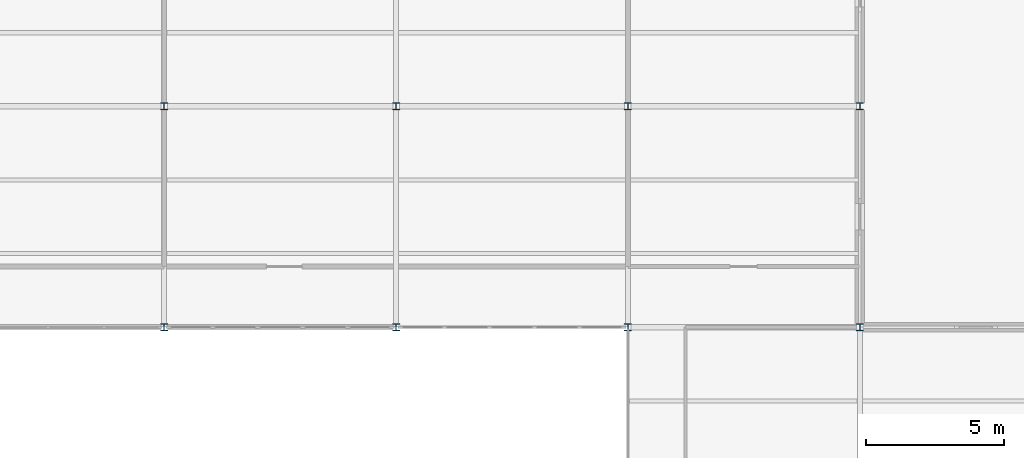
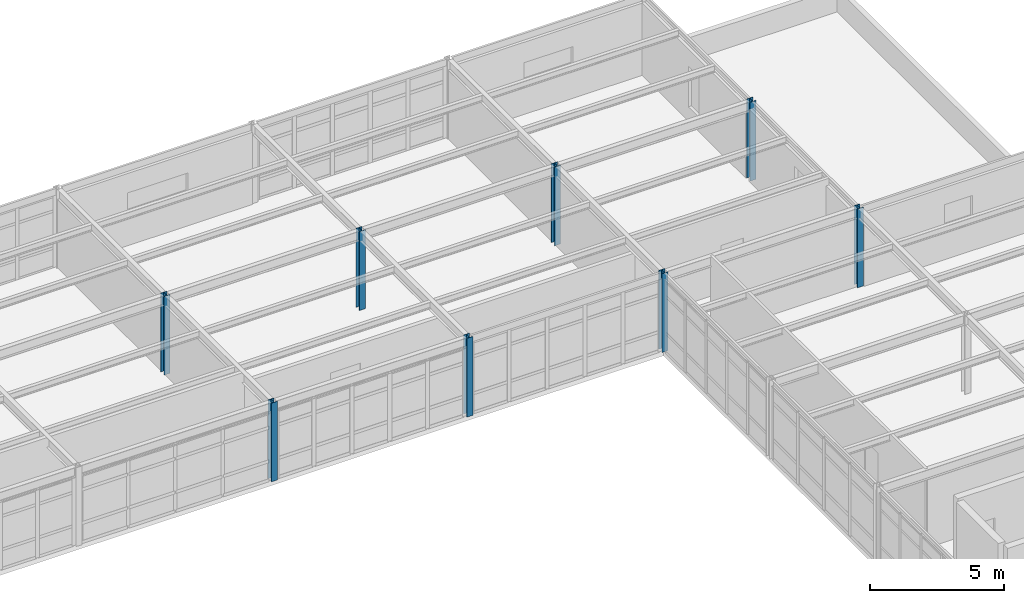
# One storey, part 8 of 53: 8 columns.
"""IFC4 building model written with IfcOpenShell, lengths in metres."""

from ifc_helpers import new_model, si_unit, direction, frame, origin, origin_2d, place, context, subcontext, project, spatial, i_section, extrude, material, material_profile, profile_set, type_object, element, save


model = new_model("IFC4")

# Units and contexts
model_context = context("Model", 3, precision=1e-05, world=origin(), true_north=direction((0.0, 1.0)))
body_context = subcontext(model_context, "Body", "Model", "MODEL_VIEW")
ifc_project = project(units=[si_unit("LENGTHUNIT", "METRE"), si_unit("AREAUNIT", "SQUARE_METRE"), si_unit("VOLUMEUNIT", "CUBIC_METRE"), si_unit("PLANEANGLEUNIT", "RADIAN"), si_unit("MASSUNIT", "GRAM", prefix="KILO")], contexts=[model_context])

# Site, building, storey
site_placement = place(None, origin())
site = spatial("IfcSite", under=ifc_project, at=site_placement, CompositionType="ELEMENT")
building_placement = place(site_placement, origin())
building = spatial("IfcBuilding", under=site, at=building_placement, Name="Kranzveld Transit Interchange", CompositionType="ELEMENT")
storey_placement = place(building_placement, frame((0.0, 0.0, 13.360107421875)))
storey = spatial("IfcBuildingStorey", under=building, at=storey_placement, Name="L03", CompositionType="ELEMENT", Elevation=13.360107421875)

# Columns
ifc_material = material(Name="Steel S355JR", Category="steel")
ifc_material_profile = material_profile(ifc_material, i_section(OverallWidth=0.25634765625, OverallDepth=0.26025390625, WebThickness=0.01025390625, FlangeThickness=0.017333984375, FilletRadius=0.0126953125, at=origin_2d()), Name="UC 254x254x89")
ifc_profile_set = profile_set([ifc_material_profile], Name="Steel S355JR")
column_type = type_object("IfcColumnType", Name="Column Steel UC 254x254x89 S355JR", PredefinedType="COLUMN", material=ifc_profile_set)
for number, where, z_axis, x_axis, name in (
    (1, (134.39990234375, 96.0, 0.0), (0.0, 0.0, 1.0), (1.0, 0.0, 0.0), "L03 Column 17/N"),
    (2, (134.39990234375, 104.0, 0.0), (0.0, 0.0, 1.0), (1.0, 0.0, 0.0), "L03 Column 17/P"),
    (3, (142.800048828125, 96.0, 0.0), (0.0, 0.0, 1.0), (1.0, 0.0, 0.0), "L03 Column 18/N"),
    (4, (142.800048828125, 104.0, 0.0), (0.0, 0.0, 1.0), (1.0, 0.0, 0.0), "L03 Column 18/P"),
    (5, (151.199951171875, 96.0, 0.0), (0.0, 0.0, 1.0), (1.0, 0.0, 0.0), "L03 Column 19/N"),
    (6, (151.199951171875, 104.0, 0.0), (0.0, 0.0, 1.0), (1.0, 0.0, 0.0), "L03 Column 19/P"),
    (7, (159.60009765625, 96.0, 0.0), (0.0, 0.0, 1.0), (1.0, 0.0, 0.0), "L03 Column 20/N"),
    (8, (159.60009765625, 104.0, 0.0), (0.0, 0.0, 1.0), (1.0, 0.0, 0.0), "L03 Column 20/P"),
):
    element("IfcColumn", number, at=place(storey_placement, frame(where, z_axis=z_axis, x_axis=x_axis)), inside=storey, type_object=column_type, Name=name, PredefinedType="COLUMN", context=body_context, shape_type="SweptSolid", body=[
        extrude(i_section(OverallWidth=0.25634765625, OverallDepth=0.26025390625, WebThickness=0.01025390625, FlangeThickness=0.017333984375, FilletRadius=0.0126953125, at=origin_2d()), origin(), (0.0, 0.0, 1.0), 3.579833984375),
    ])

save(model, "model.ifc")
